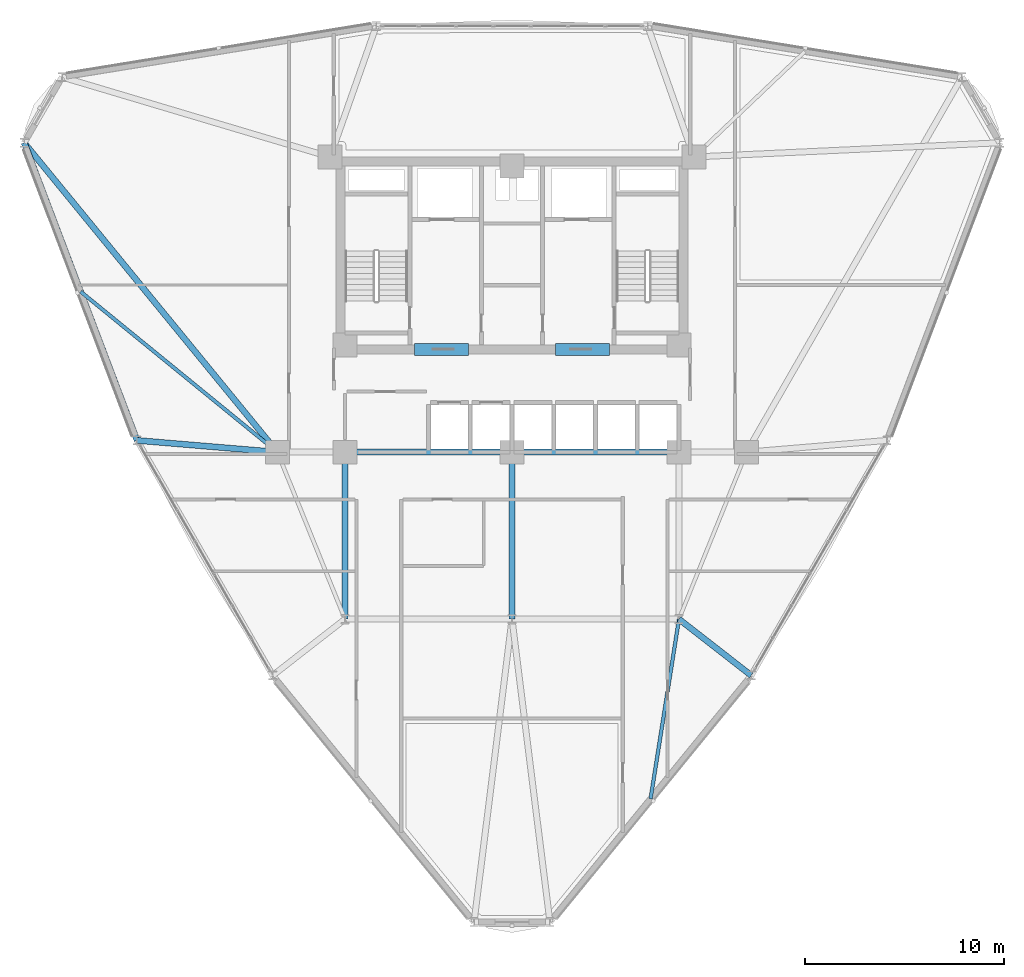
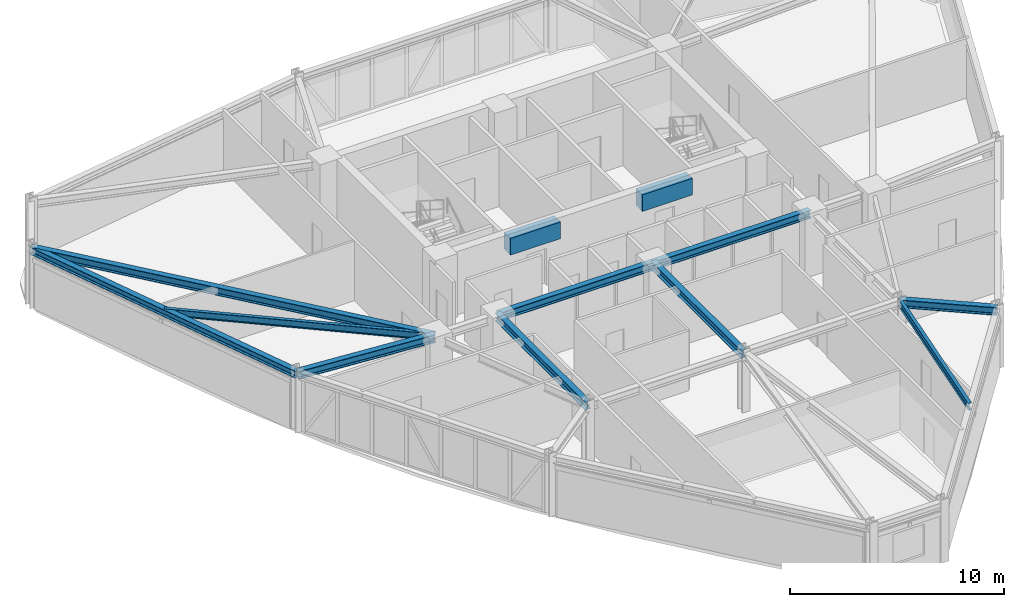
# One storey, part 5 of 17: 12 beams.
"""IFC4 building model written with IfcOpenShell, lengths in metres."""

from ifc_helpers import new_model, si_unit, derived_unit, direction, frame, origin, origin_2d, place, context, subcontext, project, spatial, rectangle, i_section, extrude, source, transform, mapped, material, material_profile, profile_set, type_object, element, save


model = new_model("IFC4")

# Units and contexts
model_context = context("Model", 3, precision=1e-05, world=origin(), true_north=direction((0.0, 1.0)))
body_context = subcontext(model_context, "Body", "Model", "MODEL_VIEW")
ifc_project = project(units=[si_unit("LENGTHUNIT", "METRE"), si_unit("AREAUNIT", "SQUARE_METRE"), si_unit("VOLUMEUNIT", "CUBIC_METRE"), si_unit("PLANEANGLEUNIT", "RADIAN"), si_unit("MASSUNIT", "GRAM", prefix="KILO"), derived_unit("THERMALTRANSMITTANCEUNIT", [(si_unit("POWERUNIT", "WATT"), 1), (si_unit("LENGTHUNIT", "METRE"), -2), (si_unit("THERMODYNAMICTEMPERATUREUNIT", "KELVIN"), -1)])], contexts=[model_context])

# Site, building, storey
site_placement = place(None, origin())
site = spatial("IfcSite", under=ifc_project, at=site_placement, CompositionType="ELEMENT")
building_placement = place(site_placement, origin())
building = spatial("IfcBuilding", under=site, at=building_placement, Name="Korsvarv Bourse and Concert Hall", CompositionType="ELEMENT")
storey_placement = place(building_placement, frame((0.0, 0.0, 124.199951171875)))
storey = spatial("IfcBuildingStorey", under=building, at=storey_placement, Name="L31", CompositionType="ELEMENT", Elevation=124.199951171875)

# Beams
ifc_material_1 = material(Name="Concrete C55/67", Category="concrete")
ifc_material_profile_1 = material_profile(ifc_material_1, rectangle(XDim=0.60009765625, YDim=0.949951171875, at=origin_2d()), Name="RC-BM 600x950")
ifc_profile_set_1 = profile_set([ifc_material_profile_1], Name="Concrete C55/67")
beam_type_1 = type_object("IfcBeamType", Name="BM-CPL", PredefinedType="LINTEL", material=ifc_profile_set_1)
shared_shape_1 = source(origin(), body_context, "Body", "SweptSolid", [
    extrude(rectangle(XDim=0.60009765625, YDim=0.949951171875, at=origin_2d()), origin(), (0.0, 0.0, 1.0), 2.699951171875),
])
for number, where, z_axis, x_axis, name in (
    (1, (31.10009765625, 37.574951171875, 2.925048828125), (1.0, 0.0, 0.0), (0.0, 1.0, 0.0), "L31 Core Coupling Beam West"),
    (2, (38.199951171875, 37.574951171875, 2.925048828125), (1.0, 0.0, 0.0), (0.0, 1.0, 0.0), "L31 Core Coupling Beam East"),
):
    element("IfcBeam", number, at=place(storey_placement, frame(where, z_axis=z_axis, x_axis=x_axis)), inside=storey, type_object=beam_type_1, Name=name, PredefinedType="LINTEL", context=body_context, shape_type="MappedRepresentation", body=[
        mapped(shared_shape_1, transform((0.0, 0.0, 0.0), scale=1.0)),
    ])
ifc_material_2 = material(Name="Steel S355", Category="steel")
ifc_material_profile_2 = material_profile(ifc_material_2, i_section(OverallWidth=0.300048828125, OverallDepth=0.449951171875, WebThickness=0.013916015625, FlangeThickness=0.02587890625, FilletRadius=0.02099609375, at=origin_2d()), Name="HEB 450")
ifc_profile_set_2 = profile_set([ifc_material_profile_2], Name="Steel S355")
beam_type_2 = type_object("IfcBeamType", Name="BM-HEB450", PredefinedType="SPANDREL", material=ifc_profile_set_2)
shared_shape_2 = source(origin(), body_context, "Body", "SweptSolid", [
    extrude(i_section(OverallWidth=0.300048828125, OverallDepth=0.449951171875, WebThickness=0.013916015625, FlangeThickness=0.02587890625, FilletRadius=0.02099609375, at=origin_2d()), origin(), (0.0, 0.0, 1.0), 8.39990234375),
])
for number, where, z_axis, x_axis, name in (
    (3, (27.60009765625, 32.39990234375, 3.175048828125), (1.0, 0.0, 0.0), (0.0, 1.0, 0.0), "L31 beam B-08"),
    (4, (36.0, 32.39990234375, 3.175048828125), (1.0, 0.0, 0.0), (0.0, 1.0, 0.0), "L31 beam B-08"),
    (5, (27.60009765625, 24.0, 3.175048828125), (0.0, 1.0, 0.0), (-1.0, 0.0, 0.0), "L31 beam B-08"),
    (6, (36.0, 24.0, 3.175048828125), (0.0, 1.0, 0.0), (-1.0, 0.0, 0.0), "L31 beam B-08"),
):
    element("IfcBeam", number, at=place(storey_placement, frame(where, z_axis=z_axis, x_axis=x_axis)), inside=storey, type_object=beam_type_2, Name=name, PredefinedType="SPANDREL", context=body_context, shape_type="MappedRepresentation", body=[
        mapped(shared_shape_2, transform((0.0, 0.0, 0.0), scale=1.0)),
    ])
ifc_material_profile_3 = material_profile(ifc_material_2, i_section(OverallWidth=0.300048828125, OverallDepth=0.39990234375, WebThickness=0.013427734375, FlangeThickness=0.02392578125, FilletRadius=0.02099609375, at=origin_2d()), Name="HEB 400")
ifc_profile_set_3 = profile_set([ifc_material_profile_3], Name="Steel S355")
beam_type_3 = type_object("IfcBeamType", Name="BM-HEB400", PredefinedType="SPANDREL", material=ifc_profile_set_3)
shared_shape_3 = source(origin(), body_context, "Body", "SweptSolid", [
    extrude(i_section(OverallWidth=0.300048828125, OverallDepth=0.39990234375, WebThickness=0.013427734375, FlangeThickness=0.02392578125, FilletRadius=0.02099609375, at=origin_2d()), origin(), (0.0, 0.0, 1.0), 16.0146484375),
])
beam_1_placement = place(storey_placement, frame((11.458251953125, 47.966064453125, 3.199951171875), z_axis=(0.354515902653, -0.93504998517, 0.0), x_axis=(0.93504998517, 0.354515902653, 0.0)))
element("IfcBeam", 7, at=beam_1_placement, inside=storey, type_object=beam_type_3, Name="L31 beam B-09", PredefinedType="SPANDREL", context=body_context, shape_type="MappedRepresentation", body=[
    mapped(shared_shape_3, transform((0.0, 0.0, 0.0), scale=1.0)),
])
shared_shape_4 = source(origin(), body_context, "Body", "SweptSolid", [
    extrude(i_section(OverallWidth=0.300048828125, OverallDepth=0.449951171875, WebThickness=0.013916015625, FlangeThickness=0.02587890625, FilletRadius=0.02099609375, at=origin_2d()), origin(), (0.0, 0.0, 1.0), 20.115966796875),
])
beam_2_placement = place(storey_placement, frame((11.458251953125, 47.966064453125, 3.175048828125), z_axis=(0.63340894884, -0.773817228762, 0.0), x_axis=(0.773817228762, 0.63340894884, 0.0)))
element("IfcBeam", 8, at=beam_2_placement, inside=storey, type_object=beam_type_2, Name="L31 beam B-08", PredefinedType="SPANDREL", context=body_context, shape_type="MappedRepresentation", body=[
    mapped(shared_shape_4, transform((0.0, 0.0, 0.0), scale=1.0)),
])
shared_shape_5 = source(origin(), body_context, "Body", "SweptSolid", [
    extrude(i_section(OverallWidth=0.300048828125, OverallDepth=0.449951171875, WebThickness=0.013916015625, FlangeThickness=0.02587890625, FilletRadius=0.02099609375, at=origin_2d()), origin(), (0.0, 0.0, 1.0), 7.0888671875),
])
beam_3_placement = place(storey_placement, frame((17.1357421875, 32.991455078125, 3.175048828125), z_axis=(0.996512187592, -0.083447348558, 0.0), x_axis=(0.083447348558, 0.996512187592, 0.0)))
element("IfcBeam", 9, at=beam_3_placement, inside=storey, type_object=beam_type_2, Name="L31 beam B-08", PredefinedType="SPANDREL", context=body_context, shape_type="MappedRepresentation", body=[
    mapped(shared_shape_5, transform((0.0, 0.0, 0.0), scale=1.0)),
])
shared_shape_6 = source(origin(), body_context, "Body", "SweptSolid", [
    extrude(i_section(OverallWidth=0.300048828125, OverallDepth=0.449951171875, WebThickness=0.013916015625, FlangeThickness=0.02587890625, FilletRadius=0.02099609375, at=origin_2d()), origin(), (0.0, 0.0, 1.0), 4.610595703125),
])
beam_4_placement = place(storey_placement, frame((48.03759765625, 21.167236328125, 3.175048828125), z_axis=(-0.788989967488, 0.614406080051, 0.0), x_axis=(-0.614406080051, -0.788989967488, 0.0)))
element("IfcBeam", 10, at=beam_4_placement, inside=storey, type_object=beam_type_2, Name="L31 beam B-08", PredefinedType="SPANDREL", context=body_context, shape_type="MappedRepresentation", body=[
    mapped(shared_shape_6, transform((0.0, 0.0, 0.0), scale=1.0)),
])
ifc_material_profile_4 = material_profile(ifc_material_2, i_section(OverallWidth=0.179931640625, OverallDepth=0.39990234375, WebThickness=0.008544921875, FlangeThickness=0.013427734375, FilletRadius=0.02099609375, at=origin_2d()), Name="IPE 400")
ifc_profile_set_4 = profile_set([ifc_material_profile_4], Name="Steel S355")
beam_type_4 = type_object("IfcBeamType", Name="BM-IPE400", PredefinedType="JOIST", material=ifc_profile_set_4)
shared_shape_7 = source(origin(), body_context, "Body", "SweptSolid", [
    extrude(i_section(OverallWidth=0.179931640625, OverallDepth=0.39990234375, WebThickness=0.008544921875, FlangeThickness=0.013427734375, FilletRadius=0.02099609375, at=origin_2d()), origin(), (0.0, 0.0, 1.0), 12.780517578125),
])
beam_5_placement = place(storey_placement, frame((14.296875, 40.478759765625, 3.199951171875), z_axis=(0.774863789618, -0.632128236625, 0.0), x_axis=(0.632128236625, 0.774863789618, 0.0)))
element("IfcBeam", 11, at=beam_5_placement, inside=storey, type_object=beam_type_4, Name="L31 beam J-05", PredefinedType="JOIST", context=body_context, shape_type="MappedRepresentation", body=[
    mapped(shared_shape_7, transform((0.0, 0.0, 0.0), scale=1.0)),
])
shared_shape_8 = source(origin(), body_context, "Body", "SweptSolid", [
    extrude(i_section(OverallWidth=0.179931640625, OverallDepth=0.39990234375, WebThickness=0.008544921875, FlangeThickness=0.013427734375, FilletRadius=0.02099609375, at=origin_2d()), origin(), (0.0, 0.0, 1.0), 9.14697265625),
])
beam_6_placement = place(storey_placement, frame((42.972900390625, 14.965087890625, 3.199951171875), z_axis=(0.156009174426, 0.987755606157, 0.0), x_axis=(-0.987755606157, 0.156009174426, 0.0)))
element("IfcBeam", 12, at=beam_6_placement, inside=storey, type_object=beam_type_4, Name="L31 beam J-05", PredefinedType="JOIST", context=body_context, shape_type="MappedRepresentation", body=[
    mapped(shared_shape_8, transform((0.0, 0.0, 0.0), scale=1.0)),
])

save(model, "model.ifc")
